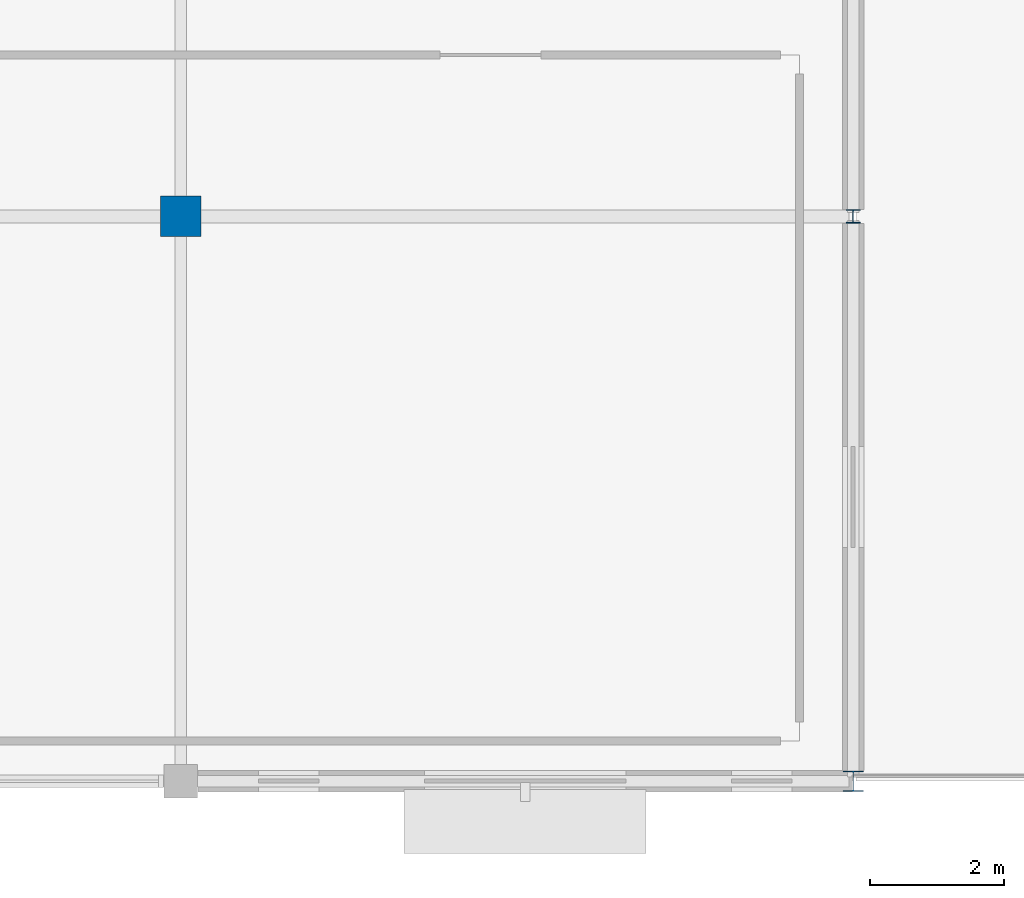
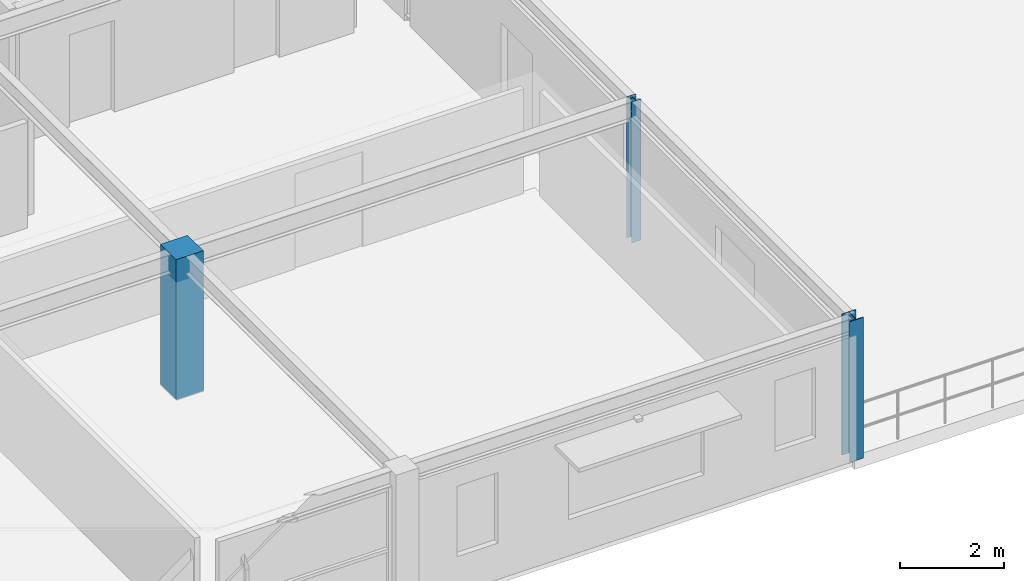
# One storey, part 4 of 12: 3 columns.
"""IFC4 building model written with IfcOpenShell, lengths in metres."""

import ifcopenshell
import ifcopenshell.guid

model = None  # the IFC model being written
_history = None  # IfcOwnerHistory: only IFC2X3 demands one
_inside = {}  # id of a spatial element -> (the spatial element, [elements in it])
_under = {}  # id of a project, library or spatial element -> (it, [spatial elements below it])
_declared = {}  # id of a project -> (the project, [libraries it declares])
_typed = {}  # id of a type object -> (the type object, [elements of that type])
_made_of = {}  # id of a material, layer set ... -> (it, [elements and type objects made of it])


def new_model(schema):
    """Start an empty IFC model of exactly this schema.

    Asked for "IFC4X3", IfcOpenShell would pick the latest addendum, in which some entities
    have other attributes; the version numbers below select the first issue.
    IFC2X3 requires an IfcOwnerHistory on every rooted entity: one is made here for all.
    """
    global model, _history
    if schema == "IFC4X3":
        model = ifcopenshell.file(schema_version=(4, 3, 0, 0))
    else:
        model = ifcopenshell.file(schema=schema)
    _inside.clear()
    _under.clear()
    _declared.clear()
    _typed.clear()
    _made_of.clear()
    _history = None
    if model.schema == "IFC2X3":
        org = make("IfcOrganization", Name="unknown")
        user = make(
            "IfcPersonAndOrganization",
            ThePerson=make("IfcPerson", FamilyName="unknown"),
            TheOrganization=org,
        )
        app = make(
            "IfcApplication",
            ApplicationDeveloper=org,
            Version="unknown",
            ApplicationFullName="unknown",
            ApplicationIdentifier="unknown",
        )
        _history = make(
            "IfcOwnerHistory",
            OwningUser=user,
            OwningApplication=app,
            ChangeAction="ADDED",
            CreationDate=0,
        )
    return model


def make(cls, **values):
    """One entity of the class cls with the attributes given. An attribute that is None is left unset."""
    return model.create_entity(
        cls, **{name: value for name, value in values.items() if value is not None}
    )


def rooted(cls, **values):
    """An entity with a GlobalId (a new one), such as an element, a storey or a relation."""
    return make(cls, GlobalId=ifcopenshell.guid.new(), OwnerHistory=_history, **values)


def si_unit(unit_type, name, prefix=None):
    """IfcSIUnit, for example si_unit("LENGTHUNIT", "METRE", prefix="MILLI")."""
    return make("IfcSIUnit", UnitType=unit_type, Prefix=prefix, Name=name)


def derived_unit(unit_type, elements):
    """IfcDerivedUnit: a product of units, each with its exponent."""
    return make(
        "IfcDerivedUnit",
        Elements=[
            make("IfcDerivedUnitElement", Unit=unit, Exponent=power)
            for unit, power in elements
        ],
        UnitType=unit_type,
    )


def assignment(units):
    """IfcUnitAssignment: the units of a project."""
    return None if units is None else make("IfcUnitAssignment", Units=units)


def point(xyz):
    """IfcCartesianPoint."""
    return None if xyz is None else make("IfcCartesianPoint", Coordinates=xyz)


def direction(xyz):
    """IfcDirection."""
    return None if xyz is None else make("IfcDirection", DirectionRatios=xyz)


def frame(location, z_axis=None, x_axis=None):
    """IfcAxis2Placement3D, a coordinate frame: its origin and axes. An axis left out is left unset."""
    return make(
        "IfcAxis2Placement3D",
        Location=point(location),
        Axis=direction(z_axis),
        RefDirection=direction(x_axis),
    )


def frame_2d(location, x_axis=None):
    """IfcAxis2Placement2D, a coordinate frame in the plane: its origin and x axis."""
    return make(
        "IfcAxis2Placement2D", Location=point(location), RefDirection=direction(x_axis)
    )


def origin():
    """The frame at (0, 0, 0) with its axes left unset."""
    return frame((0.0, 0.0, 0.0))


def origin_2d_with_axis():
    """The frame at (0, 0) in the plane with the x axis (1, 0) written out."""
    return frame_2d((0.0, 0.0), x_axis=(1.0, 0.0))


def place(relative_to, where):
    """IfcLocalPlacement: puts the frame where relative to a parent placement (None: the world)."""
    return make(
        "IfcLocalPlacement", PlacementRelTo=relative_to, RelativePlacement=where
    )


def context(
    kind, dimensions, precision=None, world=None, true_north=None, identifier=None
):
    """IfcGeometricRepresentationContext, for example the 3D "Model" context."""
    return make(
        "IfcGeometricRepresentationContext",
        ContextIdentifier=identifier,
        ContextType=kind,
        CoordinateSpaceDimension=dimensions,
        Precision=precision,
        WorldCoordinateSystem=world,
        TrueNorth=true_north,
    )


def subcontext(parent, identifier, kind, view, scale=None):
    """IfcGeometricRepresentationSubContext, for example "Body" below "Model"."""
    return make(
        "IfcGeometricRepresentationSubContext",
        ContextIdentifier=identifier,
        ContextType=kind,
        ParentContext=parent,
        TargetScale=scale,
        TargetView=view,
    )


def project(units=None, contexts=None):
    """IfcProject with its units and contexts."""
    return rooted(
        "IfcProject",
        Name="project",
        RepresentationContexts=contexts,
        UnitsInContext=assignment(units),
    )


def spatial(cls, under=None, at=None, **own):
    """A site, building, storey or space (cls), placed at a placement, below another one or the project."""
    s = rooted(cls, ObjectPlacement=at, **own)
    if under is not None:
        _under.setdefault(under.id(), (under, []))[1].append(s)
    return s


def profile(cls, at=None, kind="AREA", **sizes):
    """A parametric profile (cls). Its sizes go by their IFC names, for example OverallWidth=200.0."""
    return make(cls, ProfileType=kind, Position=at, **sizes)


def rectangle(**sizes):
    """IfcRectangleProfileDef."""
    return profile("IfcRectangleProfileDef", **sizes)


def i_section(**sizes):
    """IfcIShapeProfileDef."""
    return profile("IfcIShapeProfileDef", **sizes)


def extrude(swept, where, along, depth):
    """IfcExtrudedAreaSolid: the profile swept, set in the frame where, extruded along a direction by depth."""
    return make(
        "IfcExtrudedAreaSolid",
        SweptArea=swept,
        Position=where,
        ExtrudedDirection=direction(along),
        Depth=depth,
    )


def shape(context_of_items, identifier, shape_type, items):
    """IfcShapeRepresentation: the items that make up one representation, for example the "Body"."""
    return make(
        "IfcShapeRepresentation",
        ContextOfItems=context_of_items,
        RepresentationIdentifier=identifier,
        RepresentationType=shape_type,
        Items=items,
    )


def material(Name=None, Category=None):
    """IfcMaterial."""
    return make("IfcMaterial", Name=Name, Category=Category)


def material_profile(
    of_material, cross_section, Name=None, Category=None, Priority=None
):
    """IfcMaterialProfile: a cross section and its material."""
    return make(
        "IfcMaterialProfile",
        Name=Name,
        Material=of_material,
        Profile=cross_section,
        Priority=Priority,
        Category=Category,
    )


def profile_set(profiles, Name=None, composite=None):
    """IfcMaterialProfileSet."""
    return make(
        "IfcMaterialProfileSet",
        Name=Name,
        MaterialProfiles=profiles,
        CompositeProfile=composite,
    )


def made_of(thing, what):
    """Note that an element or type object is made of a material, layer set ...; save() writes the relation."""
    if what is not None:
        _made_of.setdefault(what.id(), (what, []))[1].append(thing)
    return thing


def type_object(cls, material=None, **own):
    """A type object (cls), such as IfcWallType, which elements share."""
    return made_of(rooted(cls, **own), material)


def element(
    cls,
    number,
    at=None,
    inside=None,
    cuts=None,
    type_object=None,
    material=None,
    context=None,
    identifier="Body",
    shape_type=None,
    held_by="IfcProductDefinitionShape",
    body=None,
    shapes=None,
    **own,
):
    """One element of the class cls, such as IfcWall. Its Tag is "e" and its number.

    at: its placement. inside: the storey or other place that contains it. cuts: it is an
    opening in that element (IfcRelVoidsElement). A single representation is given by context,
    identifier, shape_type and body (its items); several are given by shapes. held_by: the class
    of the entity that holds the representations. save() writes the other relations.
    """
    e = rooted(cls, Tag="e%d" % number, ObjectPlacement=at, **own)
    if body is not None:
        shapes = [shape(context, identifier, shape_type, body)]
    if shapes is not None:
        e.Representation = make(held_by, Representations=shapes)
    if inside is not None:
        _inside.setdefault(inside.id(), (inside, []))[1].append(e)
    if cuts is not None:
        rooted(
            "IfcRelVoidsElement", RelatingBuildingElement=cuts, RelatedOpeningElement=e
        )
    if type_object is not None:
        _typed.setdefault(type_object.id(), (type_object, []))[1].append(e)
    return made_of(e, material)


def aggregate(whole, parts):
    """IfcRelAggregates: a whole, such as a stair, and the parts it consists of."""
    return rooted("IfcRelAggregates", RelatingObject=whole, RelatedObjects=parts)


def save(model, path):
    """Write the relations noted so far, then the file.

    IfcRelAggregates (storeys below a building ...), IfcRelContainedInSpatialStructure (elements
    in a storey), IfcRelDefinesByType, IfcRelAssociatesMaterial and IfcRelDeclares: one each for
    every whole, place, type object, material and project.
    """
    for whole, parts in _under.values():
        aggregate(whole, parts)
    for where, things in _inside.values():
        rooted(
            "IfcRelContainedInSpatialStructure",
            RelatedElements=things,
            RelatingStructure=where,
        )
    for kind, things in _typed.values():
        rooted("IfcRelDefinesByType", RelatedObjects=things, RelatingType=kind)
    for what, things in _made_of.values():
        rooted("IfcRelAssociatesMaterial", RelatedObjects=things, RelatingMaterial=what)
    for by, libraries in _declared.values():
        rooted("IfcRelDeclares", RelatingContext=by, RelatedDefinitions=libraries)
    model.write(path)


model = new_model("IFC4")

# Units and contexts
model_context = context("Model", 3, precision=1e-05, world=origin(), true_north=direction((0.0, 1.0)))
body_context = subcontext(model_context, "Body", "Model", "MODEL_VIEW")
ifc_project = project(units=[si_unit("LENGTHUNIT", "METRE"), si_unit("AREAUNIT", "SQUARE_METRE"), si_unit("VOLUMEUNIT", "CUBIC_METRE"), si_unit("PLANEANGLEUNIT", "RADIAN"), si_unit("MASSUNIT", "GRAM", prefix="KILO"), derived_unit("THERMALTRANSMITTANCEUNIT", [(si_unit("POWERUNIT", "WATT"), 1), (si_unit("LENGTHUNIT", "METRE"), -2), (si_unit("THERMODYNAMICTEMPERATUREUNIT", "KELVIN"), -1)])], contexts=[model_context])

# Site, building, storey
site_placement = place(None, origin())
site = spatial("IfcSite", under=ifc_project, at=site_placement, CompositionType="ELEMENT")
building_placement = place(site_placement, origin())
building = spatial("IfcBuilding", under=site, at=building_placement, Name="Cinnabar Yard Market Hall", CompositionType="ELEMENT")
storey_placement = place(building_placement, frame((0.0, 0.0, 15.300048828125)))
storey = spatial("IfcBuildingStorey", under=building, at=storey_placement, Name="L04", CompositionType="ELEMENT", Elevation=15.300048828125)

# Columns
ifc_material_1 = material(Name="Steel Grade 300 (300 MPa)", Category="steel")
ifc_material_profile_1 = material_profile(ifc_material_1, i_section(OverallWidth=0.304931640625, OverallDepth=0.30810546875, WebThickness=0.010009765625, FlangeThickness=0.015380859375, FilletRadius=0.0166015625, at=origin_2d_with_axis()), Name="310UC96.8")
ifc_profile_set_1 = profile_set([ifc_material_profile_1], Name="Steel Grade 300 (300 MPa)")
column_type_1 = type_object("IfcColumnType", Name="COL-C09E", PredefinedType="COLUMN", material=ifc_profile_set_1)
column_1_placement = place(storey_placement, frame((136.0, 112.800048828125, 0.0), z_axis=(0.0, 0.0, 1.0), x_axis=(1.0, 0.0, 0.0)))
element("IfcColumn", 1, at=column_1_placement, inside=storey, type_object=column_type_1, Name="Belvedere Column V3-08-02 L04", PredefinedType="COLUMN", context=body_context, shape_type="SweptSolid", body=[
    extrude(i_section(OverallWidth=0.304931640625, OverallDepth=0.30810546875, WebThickness=0.010009765625, FlangeThickness=0.015380859375, FilletRadius=0.0166015625, at=origin_2d_with_axis()), origin(), (0.0, 0.0, 1.0), 3.300048828125),
])
ifc_material_profile_2 = material_profile(ifc_material_1, i_section(OverallWidth=0.203369140625, OverallDepth=0.203369140625, WebThickness=0.00732421875, FlangeThickness=0.010986328125, FilletRadius=0.011474609375, at=origin_2d_with_axis()), Name="200UC46.2")
ifc_profile_set_2 = profile_set([ifc_material_profile_2], Name="Steel Grade 300 (300 MPa)")
column_type_2 = type_object("IfcColumnType", Name="COL-C13E", PredefinedType="COLUMN", material=ifc_profile_set_2)
column_2_placement = place(storey_placement, frame((136.0, 121.199951171875, 0.0), z_axis=(0.0, 0.0, 1.0), x_axis=(1.0, 0.0, 0.0)))
element("IfcColumn", 2, at=column_2_placement, inside=storey, type_object=column_type_2, Name="Belvedere Column V3-08-03 L04", PredefinedType="COLUMN", context=body_context, shape_type="SweptSolid", body=[
    extrude(i_section(OverallWidth=0.203369140625, OverallDepth=0.203369140625, WebThickness=0.00732421875, FlangeThickness=0.010986328125, FilletRadius=0.011474609375, at=origin_2d_with_axis()), origin(), (0.0, 0.0, 1.0), 3.300048828125),
])
ifc_material_2 = material(Name="Concrete 40 MPa", Category="concrete")
ifc_material_profile_3 = material_profile(ifc_material_2, rectangle(XDim=0.60009765625, YDim=0.60009765625, at=origin_2d_with_axis()), Name="RC-600x600")
ifc_profile_set_3 = profile_set([ifc_material_profile_3], Name="Concrete 40 MPa")
column_type_3 = type_object("IfcColumnType", Name="COL-RC2", PredefinedType="COLUMN", material=ifc_profile_set_3)
column_3_placement = place(storey_placement, frame((126.0, 121.199951171875, 0.0), z_axis=(0.0, 0.0, 1.0), x_axis=(1.0, 0.0, 0.0)))
element("IfcColumn", 3, at=column_3_placement, inside=storey, type_object=column_type_3, Name="Belvedere Column V3-07-03 L04", PredefinedType="COLUMN", context=body_context, shape_type="SweptSolid", body=[
    extrude(rectangle(XDim=0.60009765625, YDim=0.60009765625, at=origin_2d_with_axis()), origin(), (0.0, 0.0, 1.0), 3.300048828125),
])

save(model, "model.ifc")
